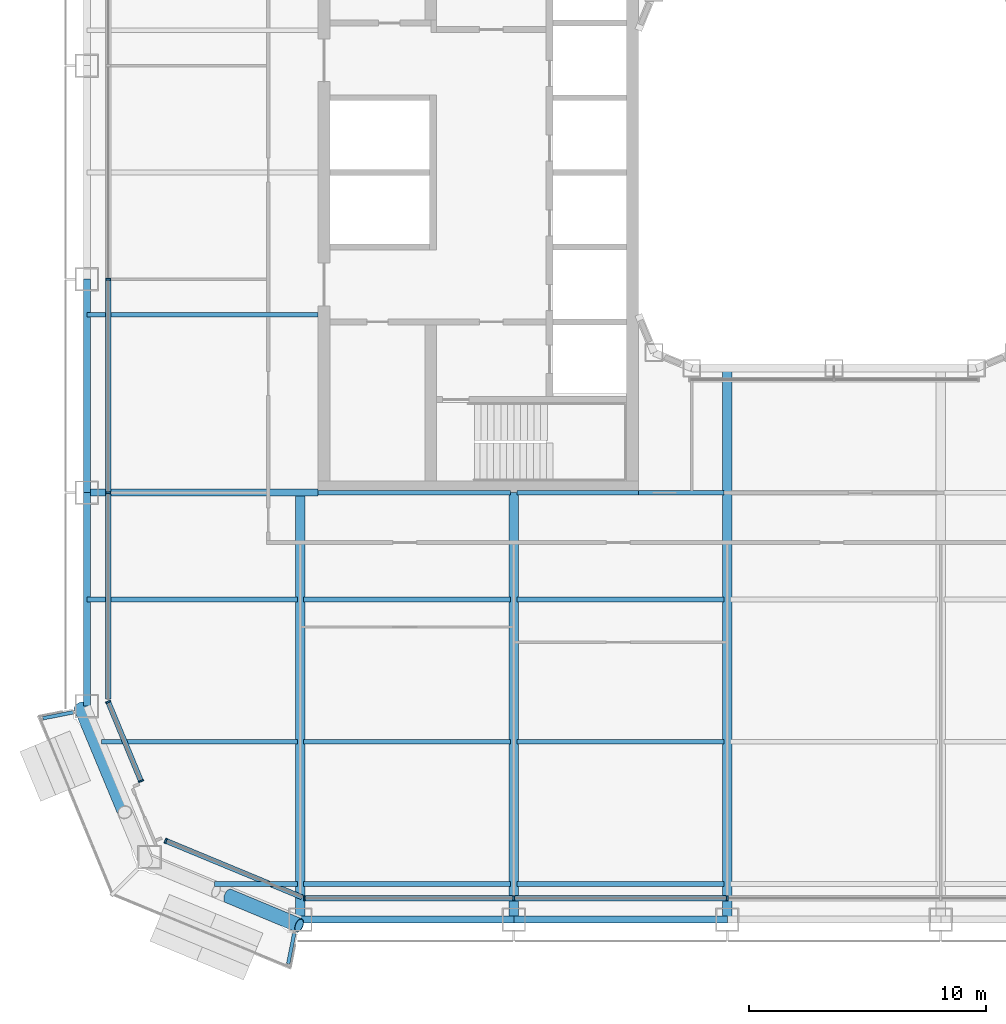
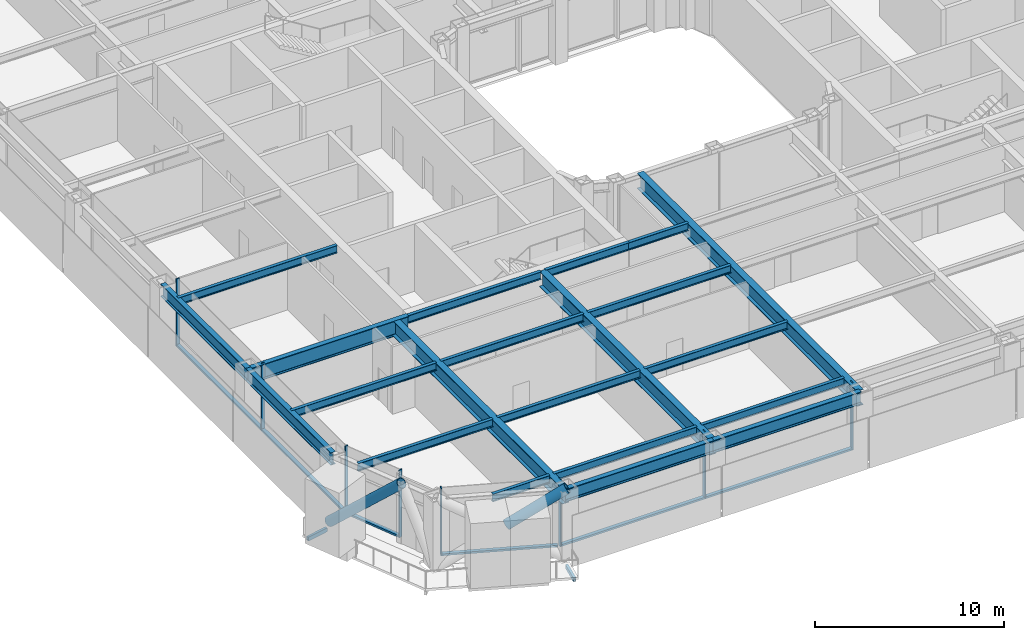
# One storey, part 2 of 27: 23 beams, 16 members, 4 elements without a shape of their own.
"""IFC4 building model written with IfcOpenShell, lengths in metres."""

from ifc_helpers import new_model, si_unit, direction, frame, origin, origin_2d, place, context, subcontext, project, spatial, rectangle, hollow_rectangle, hollow_circle, i_section, extrude, material, layer, layer_set, material_profile, profile_set, type_object, element, aggregate, save


model = new_model("IFC4")

# Units and contexts
model_context = context("Model", 3, precision=1e-05, world=origin(), true_north=direction((0.0, 1.0)))
body_context = subcontext(model_context, "Body", "Model", "MODEL_VIEW")
ifc_project = project(units=[si_unit("LENGTHUNIT", "METRE"), si_unit("AREAUNIT", "SQUARE_METRE"), si_unit("VOLUMEUNIT", "CUBIC_METRE"), si_unit("PLANEANGLEUNIT", "RADIAN"), si_unit("MASSUNIT", "GRAM", prefix="KILO")], contexts=[model_context])

# Site, building, storey
site_placement = place(None, origin())
site = spatial("IfcSite", under=ifc_project, at=site_placement, CompositionType="ELEMENT")
building_placement = place(site_placement, origin())
building = spatial("IfcBuilding", under=site, at=building_placement, Name="Siwar Civic Tower", CompositionType="ELEMENT")
storey_placement = place(building_placement, frame((0.0, 0.0, 53.699951171875)))
storey = spatial("IfcBuildingStorey", under=building, at=storey_placement, Name="L11", CompositionType="ELEMENT", Elevation=53.699951171875)

# Beams
ifc_material_1 = material(Name="Steel S355", Category="steel")
ifc_material_profile_1 = material_profile(ifc_material_1, hollow_rectangle(XDim=0.14990234375, YDim=0.25, WallThickness=0.010009765625, at=origin_2d()), Name="RHS250x150x10")
ifc_profile_set_1 = profile_set([ifc_material_profile_1], Name="Steel S355")
beam_type_1 = type_object("IfcBeamType", Name="ENV-BALCONY ARM", PredefinedType="BEAM", material=ifc_profile_set_1)
for number, where, z_axis, x_axis, name in (
    (1, (-32.059814453125, -22.754150390625, -0.27490234375), (-0.980799833553, -0.195017144127, 0.0), (0.195017144127, -0.980799833553, 0.0), "Balcony cantilever beam SW 1"),
    (2, (-22.754150390625, -32.059814453125, -0.27490234375), (-0.195017144127, -0.980799833553, 0.0), (0.980799833553, -0.195017144127, 0.0), "Balcony cantilever beam SW 3"),
):
    element("IfcBeam", number, at=place(storey_placement, frame(where, z_axis=z_axis, x_axis=x_axis)), inside=storey, type_object=beam_type_1, Name=name, PredefinedType="BEAM", context=body_context, shape_type="SweptSolid", body=[
        extrude(hollow_rectangle(XDim=0.14990234375, YDim=0.25, WallThickness=0.010009765625, at=origin_2d()), origin(), (0.0, 0.0, 1.0), 1.324462890625),
    ])

# Curtain wall, members
ifc_material_2 = material(Name="Aluminium and glass", Category="aluminium")
ifc_layer_1 = layer(ifc_material_2, 0.219970703125)
ifc_layer_set_1 = layer_set([ifc_layer_1], Name="Aluminium and glass")
curtain_wall_type_1 = type_object("IfcCurtainWallType", Name="ENV-CW-A", PredefinedType="NOTDEFINED", material=ifc_layer_set_1)
curtain_wall_1_placement = place(storey_placement, origin())
curtain_wall_1 = element("IfcCurtainWall", 3, at=curtain_wall_1_placement, inside=storey, type_object=curtain_wall_type_1, Name="Curtain wall A S", PredefinedType="NOTDEFINED")
ifc_material_3 = material(Name="Aluminium 6063-T6", Category="aluminium")
ifc_material_profile_2 = material_profile(ifc_material_3, rectangle(XDim=0.219970703125, YDim=0.070068359375, at=origin_2d()), Name="AL 220x70")
ifc_profile_set_2 = profile_set([ifc_material_profile_2], Name="Aluminium 6063-T6")
member_type_1 = type_object("IfcMemberType", Name="ENV-MULLION-A", PredefinedType="MULLION", material=ifc_profile_set_2)
member_1_placement = place(storey_placement, frame((-22.321044921875, -30.60009765625, 0.0), z_axis=(0.0, 0.0, 1.0), x_axis=(0.0, 1.0, 0.0)))
member_1 = element("IfcMember", 4, at=member_1_placement, type_object=member_type_1, Name="Mullion A S 1", PredefinedType="MULLION", context=body_context, shape_type="SweptSolid", body=[
    extrude(rectangle(XDim=0.219970703125, YDim=0.070068359375, at=origin_2d()), origin(), (0.0, 0.0, 1.0), 4.35009765625),
])
member_2_placement = place(storey_placement, frame((-13.5, -30.60009765625, 0.0), z_axis=(0.0, 0.0, 1.0), x_axis=(0.0, 1.0, 0.0)))
member_2 = element("IfcMember", 5, at=member_2_placement, type_object=member_type_1, Name="Mullion A S 2", PredefinedType="MULLION", context=body_context, shape_type="SweptSolid", body=[
    extrude(rectangle(XDim=0.219970703125, YDim=0.070068359375, at=origin_2d()), origin(), (0.0, 0.0, 1.0), 4.35009765625),
])
member_3_placement = place(storey_placement, frame((-4.5, -30.60009765625, 0.0), z_axis=(0.0, 0.0, 1.0), x_axis=(0.0, 1.0, 0.0)))
member_3 = element("IfcMember", 6, at=member_3_placement, type_object=member_type_1, Name="Mullion A S 3", PredefinedType="MULLION", context=body_context, shape_type="SweptSolid", body=[
    extrude(rectangle(XDim=0.219970703125, YDim=0.070068359375, at=origin_2d()), origin(), (0.0, 0.0, 1.0), 4.35009765625),
])

curtain_wall_2_placement = place(storey_placement, origin())
curtain_wall_2 = element("IfcCurtainWall", 7, at=curtain_wall_2_placement, inside=storey, type_object=curtain_wall_type_1, Name="Curtain wall A W", PredefinedType="NOTDEFINED")
member_4_placement = place(storey_placement, frame((-30.60009765625, -4.5, 0.0), z_axis=(0.0, 0.0, 1.0), x_axis=(1.0, 0.0, 0.0)))
member_4 = element("IfcMember", 8, at=member_4_placement, type_object=member_type_1, Name="Mullion A W 4", PredefinedType="MULLION", context=body_context, shape_type="SweptSolid", body=[
    extrude(rectangle(XDim=0.219970703125, YDim=0.070068359375, at=origin_2d()), origin(), (0.0, 0.0, 1.0), 4.35009765625),
])
member_5_placement = place(storey_placement, frame((-30.60009765625, -13.5, 0.0), z_axis=(0.0, 0.0, 1.0), x_axis=(1.0, 0.0, 0.0)))
member_5 = element("IfcMember", 9, at=member_5_placement, type_object=member_type_1, Name="Mullion A W 5", PredefinedType="MULLION", context=body_context, shape_type="SweptSolid", body=[
    extrude(rectangle(XDim=0.219970703125, YDim=0.070068359375, at=origin_2d()), origin(), (0.0, 0.0, 1.0), 4.35009765625),
])

ifc_material_4 = material(Name="Aluminium clad insulated panel", Category="aluminium")
ifc_layer_2 = layer(ifc_material_4, 0.219970703125)
ifc_layer_set_2 = layer_set([ifc_layer_2], Name="Aluminium clad insulated panel")
curtain_wall_type_2 = type_object("IfcCurtainWallType", Name="ENV-CW-AX", PredefinedType="NOTDEFINED", material=ifc_layer_set_2)
curtain_wall_3_placement = place(storey_placement, origin())
curtain_wall_3 = element("IfcCurtainWall", 10, at=curtain_wall_3_placement, inside=storey, type_object=curtain_wall_type_2, Name="Curtain wall A SW1", PredefinedType="NOTDEFINED")
member_6_placement = place(storey_placement, frame((-30.60009765625, -22.321044921875, 0.0), z_axis=(0.0, 0.0, 1.0), x_axis=(0.923879532511, 0.382683432365, 0.0)))
member_6 = element("IfcMember", 11, at=member_6_placement, type_object=member_type_1, Name="Mullion A SW1 1", PredefinedType="MULLION", context=body_context, shape_type="SweptSolid", body=[
    extrude(rectangle(XDim=0.219970703125, YDim=0.070068359375, at=origin_2d()), origin(), (0.0, 0.0, 1.0), 4.35009765625),
])
member_7_placement = place(storey_placement, frame((-29.219482421875, -25.653564453125, 0.0), z_axis=(0.0, 0.0, 1.0), x_axis=(0.923879532511, 0.382683432365, 0.0)))
member_7 = element("IfcMember", 12, at=member_7_placement, type_object=member_type_1, Name="Mullion A SW1 2", PredefinedType="MULLION", context=body_context, shape_type="SweptSolid", body=[
    extrude(rectangle(XDim=0.219970703125, YDim=0.070068359375, at=origin_2d()), origin(), (0.0, 0.0, 1.0), 4.35009765625),
])

# Curtain wall, member
curtain_wall_4_placement = place(storey_placement, origin())
curtain_wall_4 = element("IfcCurtainWall", 13, at=curtain_wall_4_placement, inside=storey, type_object=curtain_wall_type_2, Name="Curtain wall A SW2", PredefinedType="NOTDEFINED")
member_8_placement = place(storey_placement, frame((-28.175048828125, -28.175048828125, 0.0), z_axis=(0.0, 0.0, 1.0), x_axis=(0.382683432365, 0.923879532511, 0.0)))
member_8 = element("IfcMember", 14, at=member_8_placement, type_object=member_type_1, Name="Mullion A SW2 1", PredefinedType="MULLION", context=body_context, shape_type="SweptSolid", body=[
    extrude(rectangle(XDim=0.219970703125, YDim=0.070068359375, at=origin_2d()), origin(), (0.0, 0.0, 1.0), 4.35009765625),
])

# Member
ifc_material_5 = material(Name="Aluminium 6063-T6", Category="aluminium")
ifc_material_profile_3 = material_profile(ifc_material_5, rectangle(XDim=0.219970703125, YDim=0.1201171875, at=origin_2d()), Name="AL 220x120")
ifc_profile_set_3 = profile_set([ifc_material_profile_3], Name="Aluminium 6063-T6")
member_type_2 = type_object("IfcMemberType", Name="ENV-TRANSOM-A", PredefinedType="USERDEFINED", material=ifc_profile_set_3)
member_9_placement = place(storey_placement, frame((-22.285888671875, -30.60009765625, 0.06005859375), z_axis=(1.0, 0.0, 0.0), x_axis=(0.0, 1.0, 0.0)))
member_9 = element("IfcMember", 15, at=member_9_placement, type_object=member_type_2, Name="Transom A S 1", ObjectType="TRANSOM", PredefinedType="USERDEFINED", context=body_context, shape_type="SweptSolid", body=[
    extrude(rectangle(XDim=0.219970703125, YDim=0.1201171875, at=origin_2d()), origin(), (0.0, 0.0, 1.0), 8.7509765625),
])

member_10_placement = place(storey_placement, frame((-13.465087890625, -30.60009765625, 0.06005859375), z_axis=(1.0, 0.0, 0.0), x_axis=(0.0, 1.0, 0.0)))
member_10 = element("IfcMember", 16, at=member_10_placement, type_object=member_type_2, Name="Transom A S 2", ObjectType="TRANSOM", PredefinedType="USERDEFINED", context=body_context, shape_type="SweptSolid", body=[
    extrude(rectangle(XDim=0.219970703125, YDim=0.1201171875, at=origin_2d()), origin(), (0.0, 0.0, 1.0), 8.93017578125),
])

aggregate(curtain_wall_1, [member_1, member_2, member_3, member_9, member_10])

member_11_placement = place(storey_placement, frame((-30.60009765625, -4.534912109375, 0.06005859375), z_axis=(0.0, -1.0, 0.0), x_axis=(1.0, 0.0, 0.0)))
member_11 = element("IfcMember", 17, at=member_11_placement, type_object=member_type_2, Name="Transom A W 4", ObjectType="TRANSOM", PredefinedType="USERDEFINED", context=body_context, shape_type="SweptSolid", body=[
    extrude(rectangle(XDim=0.219970703125, YDim=0.1201171875, at=origin_2d()), origin(), (0.0, 0.0, 1.0), 8.93017578125),
])

member_12_placement = place(storey_placement, frame((-30.60009765625, -13.534912109375, 0.06005859375), z_axis=(0.0, -1.0, 0.0), x_axis=(1.0, 0.0, 0.0)))
member_12 = element("IfcMember", 18, at=member_12_placement, type_object=member_type_2, Name="Transom A W 5", ObjectType="TRANSOM", PredefinedType="USERDEFINED", context=body_context, shape_type="SweptSolid", body=[
    extrude(rectangle(XDim=0.219970703125, YDim=0.1201171875, at=origin_2d()), origin(), (0.0, 0.0, 1.0), 8.66357421875),
])

aggregate(curtain_wall_2, [member_4, member_5, member_11, member_12])

member_13_placement = place(storey_placement, frame((-30.586669921875, -22.353271484375, 0.06005859375), z_axis=(0.38270330002, -0.923871302809, 0.0), x_axis=(0.923871302809, 0.38270330002, 0.0)))
member_13 = element("IfcMember", 19, at=member_13_placement, type_object=member_type_2, Name="Transom A SW1 1", ObjectType="TRANSOM", PredefinedType="USERDEFINED", context=body_context, shape_type="SweptSolid", body=[
    extrude(rectangle(XDim=0.219970703125, YDim=0.1201171875, at=origin_2d()), origin(), (0.0, 0.0, 1.0), 3.537353515625),
])

aggregate(curtain_wall_3, [member_6, member_7, member_13])

member_14_placement = place(storey_placement, frame((-28.142822265625, -28.1884765625, 0.06005859375), z_axis=(0.923873326341, -0.382698415042, 0.0), x_axis=(0.382698415042, 0.923873326341, 0.0)))
member_14 = element("IfcMember", 20, at=member_14_placement, type_object=member_type_2, Name="Transom A SW2 1", ObjectType="TRANSOM", PredefinedType="USERDEFINED", context=body_context, shape_type="SweptSolid", body=[
    extrude(rectangle(XDim=0.219970703125, YDim=0.1201171875, at=origin_2d()), origin(), (0.0, 0.0, 1.0), 6.17919921875),
])

aggregate(curtain_wall_4, [member_8, member_14])

# Members
ifc_material_6 = material(Name="Steel S355", Category="steel")
ifc_material_profile_4 = material_profile(ifc_material_6, hollow_circle(Radius=0.304931640625, WallThickness=0.030029296875, at=origin_2d()), Name="CHS610x30")
ifc_profile_set_4 = profile_set([ifc_material_profile_4], Name="Steel S355")
member_type_3 = type_object("IfcMemberType", Name="STR-BR-CHS610x30", PredefinedType="BRACE", material=ifc_profile_set_4)
member_15_placement = place(storey_placement, frame((-25.537353515625, -30.500244140625, 2.428466796875), z_axis=(0.777559680196, -0.3238932121, 0.53897507446), x_axis=(0.384524353215, 0.923114847559, 0.0)))
element("IfcMember", 21, at=member_15_placement, inside=storey, type_object=member_type_3, Name="L11/brc/ASW1-10-0-3", PredefinedType="BRACE", context=body_context, shape_type="SweptSolid", body=[
    extrude(hollow_circle(Radius=0.304931640625, WallThickness=0.030029296875, at=origin_2d()), origin(), (0.0, 0.0, 1.0), 3.843505859375),
])
member_16_placement = place(storey_placement, frame((-31.7451171875, -22.548828125, 0.0), z_axis=(0.280310719993, -0.672864582402, 0.684601456328), x_axis=(0.923101041979, 0.384557494138, 0.0)))
element("IfcMember", 22, at=member_16_placement, inside=storey, type_object=member_type_3, Name="L11/brc/ASW1-10-0-0", PredefinedType="BRACE", context=body_context, shape_type="SweptSolid", body=[
    extrude(hollow_circle(Radius=0.304931640625, WallThickness=0.030029296875, at=origin_2d()), origin(), (0.0, 0.0, 1.0), 6.5732421875),
])

# Beams
ifc_material_7 = material(Name="Steel S355", Category="steel")
ifc_material_profile_5 = material_profile(ifc_material_7, i_section(OverallWidth=0.199951171875, OverallDepth=0.5, WebThickness=0.01025390625, FlangeThickness=0.01611328125, FilletRadius=0.02099609375, at=origin_2d()), Name="IPE500")
ifc_profile_set_5 = profile_set([ifc_material_profile_5], Name="Steel S355")
beam_type_2 = type_object("IfcBeamType", Name="STR-FB-IPE500", PredefinedType="JOIST", material=ifc_profile_set_5)
beam_1_placement = place(storey_placement, frame((-26.121337890625, -30.0, 4.10009765625), z_axis=(1.0, 0.0, 0.0), x_axis=(0.0, 1.0, 0.0)))
element("IfcBeam", 23, at=beam_1_placement, inside=storey, type_object=beam_type_2, Name="L11/bm/F001", PredefinedType="JOIST", context=body_context, shape_type="SweptSolid", body=[
    extrude(i_section(OverallWidth=0.199951171875, OverallDepth=0.5, WebThickness=0.01025390625, FlangeThickness=0.01611328125, FilletRadius=0.02099609375, at=origin_2d()), origin(), (0.0, 0.0, 1.0), 3.491455078125),
])
for number, where, z_axis, x_axis, name in (
    (24, (-22.3701171875, -30.0, 4.10009765625), (1.0, 0.0, 0.0), (0.0, 1.0, 0.0), "L11/bm/F002"),
    (25, (-13.3701171875, -30.0, 4.10009765625), (1.0, 0.0, 0.0), (0.0, 1.0, 0.0), "L11/bm/F003"),
):
    element("IfcBeam", number, at=place(storey_placement, frame(where, z_axis=z_axis, x_axis=x_axis)), inside=storey, type_object=beam_type_2, Name=name, PredefinedType="JOIST", context=body_context, shape_type="SweptSolid", body=[
        extrude(i_section(OverallWidth=0.199951171875, OverallDepth=0.5, WebThickness=0.01025390625, FlangeThickness=0.01611328125, FilletRadius=0.02099609375, at=origin_2d()), origin(), (0.0, 0.0, 1.0), 8.740234375),
    ])
beam_2_placement = place(storey_placement, frame((-30.878662109375, -24.0, 4.10009765625), z_axis=(1.0, 0.0, 0.0), x_axis=(0.0, 1.0, 0.0)))
element("IfcBeam", 26, at=beam_2_placement, inside=storey, type_object=beam_type_2, Name="L11/bm/F008", PredefinedType="JOIST", context=body_context, shape_type="SweptSolid", body=[
    extrude(i_section(OverallWidth=0.199951171875, OverallDepth=0.5, WebThickness=0.01025390625, FlangeThickness=0.01611328125, FilletRadius=0.02099609375, at=origin_2d()), origin(), (0.0, 0.0, 1.0), 8.248779296875),
])
for number, where, z_axis, x_axis, name in (
    (27, (-22.3701171875, -24.0, 4.10009765625), (1.0, 0.0, 0.0), (0.0, 1.0, 0.0), "L11/bm/F009"),
    (28, (-13.3701171875, -24.0, 4.10009765625), (1.0, 0.0, 0.0), (0.0, 1.0, 0.0), "L11/bm/F010"),
):
    element("IfcBeam", number, at=place(storey_placement, frame(where, z_axis=z_axis, x_axis=x_axis)), inside=storey, type_object=beam_type_2, Name=name, PredefinedType="JOIST", context=body_context, shape_type="SweptSolid", body=[
        extrude(i_section(OverallWidth=0.199951171875, OverallDepth=0.5, WebThickness=0.01025390625, FlangeThickness=0.01611328125, FilletRadius=0.02099609375, at=origin_2d()), origin(), (0.0, 0.0, 1.0), 8.740234375),
    ])
beam_3_placement = place(storey_placement, frame((-31.5, -18.0, 4.10009765625), z_axis=(1.0, 0.0, 0.0), x_axis=(0.0, 1.0, 0.0)))
element("IfcBeam", 29, at=beam_3_placement, inside=storey, type_object=beam_type_2, Name="L11/bm/F015", PredefinedType="JOIST", context=body_context, shape_type="SweptSolid", body=[
    extrude(i_section(OverallWidth=0.199951171875, OverallDepth=0.5, WebThickness=0.01025390625, FlangeThickness=0.01611328125, FilletRadius=0.02099609375, at=origin_2d()), origin(), (0.0, 0.0, 1.0), 8.8701171875),
])
for number, where, z_axis, x_axis, name in (
    (30, (-22.3701171875, -18.0, 4.10009765625), (1.0, 0.0, 0.0), (0.0, 1.0, 0.0), "L11/bm/F016"),
    (31, (-13.3701171875, -18.0, 4.10009765625), (1.0, 0.0, 0.0), (0.0, 1.0, 0.0), "L11/bm/F017"),
):
    element("IfcBeam", number, at=place(storey_placement, frame(where, z_axis=z_axis, x_axis=x_axis)), inside=storey, type_object=beam_type_2, Name=name, PredefinedType="JOIST", context=body_context, shape_type="SweptSolid", body=[
        extrude(i_section(OverallWidth=0.199951171875, OverallDepth=0.5, WebThickness=0.01025390625, FlangeThickness=0.01611328125, FilletRadius=0.02099609375, at=origin_2d()), origin(), (0.0, 0.0, 1.0), 8.740234375),
    ])
beam_4_placement = place(storey_placement, frame((-21.75, -13.5, 4.10009765625), z_axis=(1.0, 0.0, 0.0), x_axis=(0.0, 1.0, 0.0)))
element("IfcBeam", 32, at=beam_4_placement, inside=storey, type_object=beam_type_2, Name="L11/bm/F023", PredefinedType="JOIST", context=body_context, shape_type="SweptSolid", body=[
    extrude(i_section(OverallWidth=0.199951171875, OverallDepth=0.5, WebThickness=0.01025390625, FlangeThickness=0.01611328125, FilletRadius=0.02099609375, at=origin_2d()), origin(), (0.0, 0.0, 1.0), 8.1201171875),
])
beam_5_placement = place(storey_placement, frame((-13.3701171875, -13.5, 4.10009765625), z_axis=(1.0, 0.0, 0.0), x_axis=(0.0, 1.0, 0.0)))
element("IfcBeam", 33, at=beam_5_placement, inside=storey, type_object=beam_type_2, Name="L11/bm/F024", PredefinedType="JOIST", context=body_context, shape_type="SweptSolid", body=[
    extrude(i_section(OverallWidth=0.199951171875, OverallDepth=0.5, WebThickness=0.01025390625, FlangeThickness=0.01611328125, FilletRadius=0.02099609375, at=origin_2d()), origin(), (0.0, 0.0, 1.0), 5.1201171875),
])
beam_6_placement = place(storey_placement, frame((-8.25, -13.5, 4.10009765625), z_axis=(1.0, 0.0, 0.0), x_axis=(0.0, 1.0, 0.0)))
element("IfcBeam", 34, at=beam_6_placement, inside=storey, type_object=beam_type_2, Name="L11/bm/F025", PredefinedType="JOIST", context=body_context, shape_type="SweptSolid", body=[
    extrude(i_section(OverallWidth=0.199951171875, OverallDepth=0.5, WebThickness=0.01025390625, FlangeThickness=0.01611328125, FilletRadius=0.02099609375, at=origin_2d()), origin(), (0.0, 0.0, 1.0), 3.6201171875),
])
beam_7_placement = place(storey_placement, frame((-31.5, -6.0, 4.10009765625), z_axis=(1.0, 0.0, 0.0), x_axis=(0.0, 1.0, 0.0)))
element("IfcBeam", 35, at=beam_7_placement, inside=storey, type_object=beam_type_2, Name="L11/bm/F031", PredefinedType="JOIST", context=body_context, shape_type="SweptSolid", body=[
    extrude(i_section(OverallWidth=0.199951171875, OverallDepth=0.5, WebThickness=0.01025390625, FlangeThickness=0.01611328125, FilletRadius=0.02099609375, at=origin_2d()), origin(), (0.0, 0.0, 1.0), 9.75),
])
ifc_material_8 = material(Name="Steel S355", Category="steel")
ifc_material_profile_6 = material_profile(ifc_material_8, i_section(OverallWidth=0.300048828125, OverallDepth=1.0, WebThickness=0.01904296875, FlangeThickness=0.035888671875, FilletRadius=0.030029296875, at=origin_2d()), Name="HEB1000")
ifc_profile_set_6 = profile_set([ifc_material_profile_6], Name="Steel S355")
beam_type_3 = type_object("IfcBeamType", Name="STR-PG-HEB1000", PredefinedType="BEAM", material=ifc_profile_set_6)
beam_8_placement = place(storey_placement, frame((-31.5, -13.5, 3.85009765625), z_axis=(1.0, 0.0, 0.0), x_axis=(0.0, 1.0, 0.0)))
element("IfcBeam", 36, at=beam_8_placement, inside=storey, type_object=beam_type_3, Name="L11/bm/F022", PredefinedType="BEAM", context=body_context, shape_type="SweptSolid", body=[
    extrude(i_section(OverallWidth=0.300048828125, OverallDepth=1.0, WebThickness=0.01904296875, FlangeThickness=0.035888671875, FilletRadius=0.030029296875, at=origin_2d()), origin(), (0.0, 0.0, 1.0), 9.75),
])
ifc_material_9 = material(Name="Steel S355", Category="steel")
ifc_material_profile_7 = material_profile(ifc_material_9, i_section(OverallWidth=0.39990234375, OverallDepth=1.0, WebThickness=0.01611328125, FlangeThickness=0.0400390625, at=origin_2d()), Name="PG1000x400x16x40")
ifc_profile_set_7 = profile_set([ifc_material_profile_7], Name="Steel S355")
beam_type_4 = type_object("IfcBeamType", Name="STR-PG-PG1000x400x16x40", PredefinedType="BEAM", material=ifc_profile_set_7)
for number, where, z_axis, x_axis, name in (
    (37, (-22.5, -31.5, 3.85009765625), (0.0, 1.0, 0.0), (-1.0, 0.0, 0.0), "L11/bm/G01"),
    (38, (-13.5, -31.5, 3.85009765625), (0.0, 1.0, 0.0), (-1.0, 0.0, 0.0), "L11/bm/G03"),
):
    element("IfcBeam", number, at=place(storey_placement, frame(where, z_axis=z_axis, x_axis=x_axis)), inside=storey, type_object=beam_type_4, Name=name, PredefinedType="BEAM", context=body_context, shape_type="SweptSolid", body=[
        extrude(i_section(OverallWidth=0.39990234375, OverallDepth=1.0, WebThickness=0.01611328125, FlangeThickness=0.0400390625, at=origin_2d()), origin(), (0.0, 0.0, 1.0), 18.0),
    ])
beam_9_placement = place(storey_placement, frame((-4.5, -31.5, 3.85009765625), z_axis=(0.0, 1.0, 0.0), x_axis=(-1.0, 0.0, 0.0)))
element("IfcBeam", 39, at=beam_9_placement, inside=storey, type_object=beam_type_4, Name="L11/bm/G05", PredefinedType="BEAM", context=body_context, shape_type="SweptSolid", body=[
    extrude(i_section(OverallWidth=0.39990234375, OverallDepth=1.0, WebThickness=0.01611328125, FlangeThickness=0.0400390625, at=origin_2d()), origin(), (0.0, 0.0, 1.0), 23.25),
])
ifc_material_10 = material(Name="Steel S355", Category="steel")
ifc_material_profile_8 = material_profile(ifc_material_10, i_section(OverallWidth=0.302978515625, OverallDepth=0.81396484375, WebThickness=0.02099609375, FlangeThickness=0.0400390625, FilletRadius=0.030029296875, at=origin_2d()), Name="HEM800")
ifc_profile_set_8 = profile_set([ifc_material_profile_8], Name="Steel S355")
beam_type_5 = type_object("IfcBeamType", Name="STR-SB-HEM800", PredefinedType="BEAM", material=ifc_profile_set_8)
for number, where, z_axis, x_axis, name in (
    (40, (-22.5, -31.5, 3.943115234375), (1.0, 0.0, 0.0), (0.0, 1.0, 0.0), "L11/bm/SS-0"),
    (41, (-13.5, -31.5, 3.943115234375), (1.0, 0.0, 0.0), (0.0, 1.0, 0.0), "L11/bm/SS-1"),
    (42, (-31.5, -4.5, 3.943115234375), (0.0, -1.0, 0.0), (1.0, 0.0, 0.0), "L11/bm/SW-3"),
    (43, (-31.5, -13.5, 3.943115234375), (0.0, -1.0, 0.0), (1.0, 0.0, 0.0), "L11/bm/SW-4"),
):
    element("IfcBeam", number, at=place(storey_placement, frame(where, z_axis=z_axis, x_axis=x_axis)), inside=storey, type_object=beam_type_5, Name=name, PredefinedType="BEAM", context=body_context, shape_type="SweptSolid", body=[
        extrude(i_section(OverallWidth=0.302978515625, OverallDepth=0.81396484375, WebThickness=0.02099609375, FlangeThickness=0.0400390625, FilletRadius=0.030029296875, at=origin_2d()), origin(), (0.0, 0.0, 1.0), 9.0),
    ])

save(model, "model.ifc")
